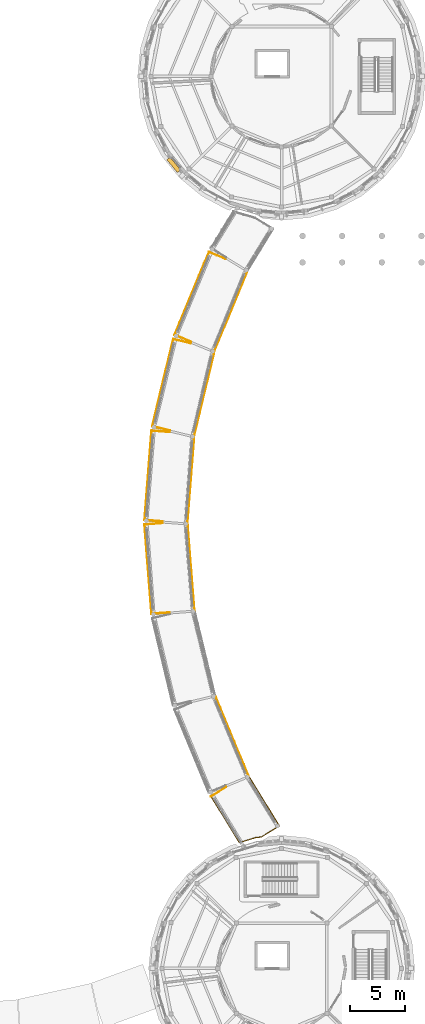
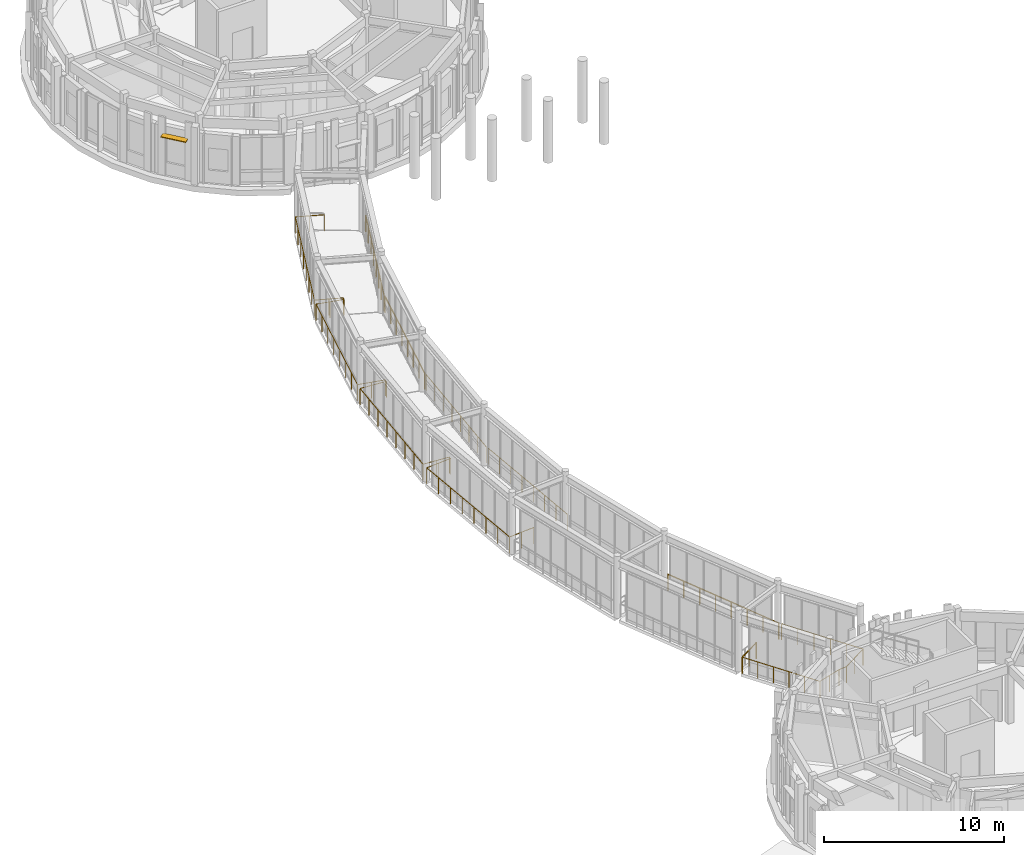
# One storey, part 78 of 80: 11 railings, 1 shading device.
"""IFC4 building model written with IfcOpenShell, lengths in metres."""

from ifc_helpers import new_model, si_unit, direction, frame, origin, origin_2d, place, context, subcontext, project, spatial, rectangle, circle, extrude, material, type_object, element, save


model = new_model("IFC4")

# Units and contexts
model_context = context("Model", 3, precision=1e-05, world=origin(), true_north=direction((0.0, 1.0)))
body_context = subcontext(model_context, "Body", "Model", "MODEL_VIEW")
ifc_project = project(units=[si_unit("LENGTHUNIT", "METRE"), si_unit("AREAUNIT", "SQUARE_METRE"), si_unit("VOLUMEUNIT", "CUBIC_METRE"), si_unit("PLANEANGLEUNIT", "RADIAN"), si_unit("MASSUNIT", "GRAM", prefix="KILO")], contexts=[model_context])

# Site, building, storey
site_placement = place(None, origin())
site = spatial("IfcSite", under=ifc_project, at=site_placement, CompositionType="ELEMENT")
building_placement = place(site_placement, origin())
building = spatial("IfcBuilding", under=site, at=building_placement, Name="Aldenvaro Health Centre", CompositionType="ELEMENT")
storey_placement = place(building_placement, frame((0.0, 0.0, 4.550048828125)))
storey = spatial("IfcBuildingStorey", under=building, at=storey_placement, Name="L01", CompositionType="ELEMENT", Elevation=4.550048828125)

# Railings
ifc_material_1 = material(Name="Painted Architectural Steel", Category="steel")
railing_type = type_object("IfcRailingType", Name="RL-BAL-110", PredefinedType="GUARDRAIL", material=ifc_material_1)
railing_1_placement = place(storey_placement, frame((146.2890625, 75.39404296875, 0.0)))
element("IfcRailing", 1, at=railing_1_placement, inside=storey, type_object=railing_type, Name="East Curved Garden Colonnade Arc 2 L01 edge guardrail 1", PredefinedType="GUARDRAIL", context=body_context, shape_type="SweptSolid", body=[
    extrude(circle(Radius=0.02392578125, at=origin_2d()), frame((0.0, 0.0, 1.09619140625), z_axis=(-0.924157687349, 0.382011215691, 0.0), x_axis=(-0.382011215691, -0.924157687349, 0.0)), (0.0, 0.0, 1.0), 1.625244140625),
    extrude(circle(Radius=0.02392578125, at=origin_2d()), frame((-1.501953125, 0.620849609375, 1.09619140625), z_axis=(0.382565498245, 0.923928373605, 0.0), x_axis=(-0.923928373605, 0.382565498245, 0.0)), (0.0, 0.0, 1.0), 8.13916015625),
    extrude(circle(Radius=0.02392578125, at=origin_2d()), frame((1.61181640625, 8.140869140625, 1.09619140625), z_axis=(0.923967430219, -0.382471159559, 0.0), x_axis=(0.382471159559, 0.923967430219, 0.0)), (0.0, 0.0, 1.0), 1.625732421875),
    extrude(circle(Radius=0.02099609375, at=origin_2d()), origin(), (0.0, 0.0, 1.0), 1.072021484375),
    extrude(circle(Radius=0.02099609375, at=origin_2d()), frame((-0.7509765625, 0.310546875, 0.0)), (0.0, 0.0, 1.0), 1.072021484375),
    extrude(circle(Radius=0.02099609375, at=origin_2d()), frame((-1.501953125, 0.620849609375, 0.0)), (0.0, 0.0, 1.0), 1.072021484375),
    extrude(circle(Radius=0.02099609375, at=origin_2d()), frame((-1.05712890625, 1.695068359375, 0.0)), (0.0, 0.0, 1.0), 1.072021484375),
    extrude(circle(Radius=0.02099609375, at=origin_2d()), frame((-0.6123046875, 2.76953125, 0.0)), (0.0, 0.0, 1.0), 1.072021484375),
    extrude(circle(Radius=0.02099609375, at=origin_2d()), frame((-0.16748046875, 3.84375, 0.0)), (0.0, 0.0, 1.0), 1.072021484375),
    extrude(circle(Radius=0.02099609375, at=origin_2d()), frame((0.27734375, 4.91796875, 0.0)), (0.0, 0.0, 1.0), 1.072021484375),
    extrude(circle(Radius=0.02099609375, at=origin_2d()), frame((0.72216796875, 5.9921875, 0.0)), (0.0, 0.0, 1.0), 1.072021484375),
    extrude(circle(Radius=0.02099609375, at=origin_2d()), frame((1.1669921875, 7.066650390625, 0.0)), (0.0, 0.0, 1.0), 1.072021484375),
    extrude(circle(Radius=0.02099609375, at=origin_2d()), frame((1.61181640625, 8.140869140625, 0.0)), (0.0, 0.0, 1.0), 1.072021484375),
    extrude(circle(Radius=0.02099609375, at=origin_2d()), frame((2.36279296875, 7.830078125, 0.0)), (0.0, 0.0, 1.0), 1.072021484375),
    extrude(circle(Radius=0.02099609375, at=origin_2d()), frame((3.114013671875, 7.51904296875, 0.0)), (0.0, 0.0, 1.0), 1.072021484375),
])
railing_2_placement = place(storey_placement, frame((151.366943359375, 81.7099609375, 0.0)))
element("IfcRailing", 2, at=railing_2_placement, inside=storey, type_object=railing_type, Name="East Curved Garden Colonnade Arc 2 L01 edge guardrail 2", PredefinedType="GUARDRAIL", context=body_context, shape_type="SweptSolid", body=[
    extrude(circle(Radius=0.02392578125, at=origin_2d()), frame((0.0, 0.0, 1.09619140625), z_axis=(-0.382541453739, -0.923938329203, 0.0), x_axis=(0.923938329203, -0.382541453739, 0.0)), (0.0, 0.0, 1.0), 7.768798828125),
    extrude(circle(Radius=0.02099609375, at=origin_2d()), origin(), (0.0, 0.0, 1.0), 1.072021484375),
    extrude(circle(Radius=0.02099609375, at=origin_2d()), frame((-0.424560546875, -1.025390625, 0.0)), (0.0, 0.0, 1.0), 1.072021484375),
    extrude(circle(Radius=0.02099609375, at=origin_2d()), frame((-0.84912109375, -2.05078125, 0.0)), (0.0, 0.0, 1.0), 1.072021484375),
    extrude(circle(Radius=0.02099609375, at=origin_2d()), frame((-1.273681640625, -3.076171875, 0.0)), (0.0, 0.0, 1.0), 1.072021484375),
    extrude(circle(Radius=0.02099609375, at=origin_2d()), frame((-1.6982421875, -4.101806640625, 0.0)), (0.0, 0.0, 1.0), 1.072021484375),
    extrude(circle(Radius=0.02099609375, at=origin_2d()), frame((-2.122802734375, -5.127197265625, 0.0)), (0.0, 0.0, 1.0), 1.072021484375),
    extrude(circle(Radius=0.02099609375, at=origin_2d()), frame((-2.54736328125, -6.152587890625, 0.0)), (0.0, 0.0, 1.0), 1.072021484375),
    extrude(circle(Radius=0.02099609375, at=origin_2d()), frame((-2.971923828125, -7.177978515625, 0.0)), (0.0, 0.0, 1.0), 1.072021484375),
])
railing_3_placement = place(storey_placement, frame((144.343994140625, 67.3369140625, 0.0)))
element("IfcRailing", 3, at=railing_3_placement, inside=storey, type_object=railing_type, Name="East Curved Garden Colonnade Arc 3 L01 edge guardrail 1", PredefinedType="GUARDRAIL", context=body_context, shape_type="SweptSolid", body=[
    extrude(circle(Radius=0.02392578125, at=origin_2d()), frame((0.0, 0.0, 1.09619140625), z_axis=(-0.972358708738, 0.233492058838, 0.0), x_axis=(-0.233492058838, -0.972358708738, 0.0)), (0.0, 0.0, 1.0), 1.6279296875),
    extrude(circle(Radius=0.02392578125, at=origin_2d()), frame((-1.5830078125, 0.380126953125, 1.09619140625), z_axis=(0.233610086319, 0.972330359276, 0.0), x_axis=(-0.972330359276, 0.233610086319, 0.0)), (0.0, 0.0, 1.0), 8.137939453125),
    extrude(circle(Radius=0.02392578125, at=origin_2d()), frame((0.318115234375, 8.29296875, 1.09619140625), z_axis=(0.972422756315, -0.233225176603, 0.0), x_axis=(0.233225176603, 0.972422756315, 0.0)), (0.0, 0.0, 1.0), 1.624755859375),
    extrude(circle(Radius=0.02099609375, at=origin_2d()), origin(), (0.0, 0.0, 1.0), 1.072021484375),
    extrude(circle(Radius=0.02099609375, at=origin_2d()), frame((-0.79150390625, 0.18994140625, 0.0)), (0.0, 0.0, 1.0), 1.072021484375),
    extrude(circle(Radius=0.02099609375, at=origin_2d()), frame((-1.5830078125, 0.380126953125, 0.0)), (0.0, 0.0, 1.0), 1.072021484375),
    extrude(circle(Radius=0.02099609375, at=origin_2d()), frame((-1.3115234375, 1.510498046875, 0.0)), (0.0, 0.0, 1.0), 1.072021484375),
    extrude(circle(Radius=0.02099609375, at=origin_2d()), frame((-1.039794921875, 2.640869140625, 0.0)), (0.0, 0.0, 1.0), 1.072021484375),
    extrude(circle(Radius=0.02099609375, at=origin_2d()), frame((-0.768310546875, 3.771240234375, 0.0)), (0.0, 0.0, 1.0), 1.072021484375),
    extrude(circle(Radius=0.02099609375, at=origin_2d()), frame((-0.49658203125, 4.90185546875, 0.0)), (0.0, 0.0, 1.0), 1.072021484375),
    extrude(circle(Radius=0.02099609375, at=origin_2d()), frame((-0.22509765625, 6.0322265625, 0.0)), (0.0, 0.0, 1.0), 1.072021484375),
    extrude(circle(Radius=0.02099609375, at=origin_2d()), frame((0.046630859375, 7.16259765625, 0.0)), (0.0, 0.0, 1.0), 1.072021484375),
    extrude(circle(Radius=0.02099609375, at=origin_2d()), frame((0.318115234375, 8.29296875, 0.0)), (0.0, 0.0, 1.0), 1.072021484375),
    extrude(circle(Radius=0.02099609375, at=origin_2d()), frame((1.10791015625, 8.103515625, 0.0)), (0.0, 0.0, 1.0), 1.072021484375),
    extrude(circle(Radius=0.02099609375, at=origin_2d()), frame((1.89794921875, 7.9140625, 0.0)), (0.0, 0.0, 1.0), 1.072021484375),
])
railing_4_placement = place(storey_placement, frame((148.3701171875, 74.3701171875, 0.0)))
element("IfcRailing", 4, at=railing_4_placement, inside=storey, type_object=railing_type, Name="East Curved Garden Colonnade Arc 3 L01 edge guardrail 2", PredefinedType="GUARDRAIL", context=body_context, shape_type="SweptSolid", body=[
    extrude(circle(Radius=0.02392578125, at=origin_2d()), frame((0.0, 0.0, 1.09619140625), z_axis=(-0.233519140247, -0.972352205293, 0.0), x_axis=(0.972352205293, -0.233519140247, 0.0)), (0.0, 0.0, 1.0), 7.76904296875),
    extrude(circle(Radius=0.02099609375, at=origin_2d()), origin(), (0.0, 0.0, 1.0), 1.072021484375),
    extrude(circle(Radius=0.02099609375, at=origin_2d()), frame((-0.25927734375, -1.0791015625, 0.0)), (0.0, 0.0, 1.0), 1.072021484375),
    extrude(circle(Radius=0.02099609375, at=origin_2d()), frame((-0.518310546875, -2.158447265625, 0.0)), (0.0, 0.0, 1.0), 1.072021484375),
    extrude(circle(Radius=0.02099609375, at=origin_2d()), frame((-0.777587890625, -3.237548828125, 0.0)), (0.0, 0.0, 1.0), 1.072021484375),
    extrude(circle(Radius=0.02099609375, at=origin_2d()), frame((-1.03662109375, -4.316650390625, 0.0)), (0.0, 0.0, 1.0), 1.072021484375),
    extrude(circle(Radius=0.02099609375, at=origin_2d()), frame((-1.2958984375, -5.395751953125, 0.0)), (0.0, 0.0, 1.0), 1.072021484375),
    extrude(circle(Radius=0.02099609375, at=origin_2d()), frame((-1.554931640625, -6.47509765625, 0.0)), (0.0, 0.0, 1.0), 1.072021484375),
    extrude(circle(Radius=0.02099609375, at=origin_2d()), frame((-1.814208984375, -7.55419921875, 0.0)), (0.0, 0.0, 1.0), 1.072021484375),
])
railing_5_placement = place(storey_placement, frame((143.680908203125, 59.074951171875, 0.0)))
element("IfcRailing", 5, at=railing_5_placement, inside=storey, type_object=railing_type, Name="East Curved Garden Colonnade Arc 4 L01 edge guardrail 1", PredefinedType="GUARDRAIL", context=body_context, shape_type="SweptSolid", body=[
    extrude(circle(Radius=0.02392578125, at=origin_2d()), frame((0.0, 0.0, 1.09619140625), z_axis=(-0.996899698613, 0.078682850139, 0.0), x_axis=(-0.078682850139, -0.996899698613, 0.0)), (0.0, 0.0, 1.0), 1.6259765625),
    extrude(circle(Radius=0.02392578125, at=origin_2d()), frame((-1.620849609375, 0.1279296875, 1.09619140625), z_axis=(0.078389434932, 0.996922813708, 0.0), x_axis=(-0.996922813708, 0.078389434932, 0.0)), (0.0, 0.0, 1.0), 8.13818359375),
    extrude(circle(Radius=0.02392578125, at=origin_2d()), frame((-0.98291015625, 8.240966796875, 1.09619140625), z_axis=(0.996904341537, -0.078624002855, 0.0), x_axis=(0.078624002855, 0.996904341537, 0.0)), (0.0, 0.0, 1.0), 1.627197265625),
    extrude(circle(Radius=0.02099609375, at=origin_2d()), origin(), (0.0, 0.0, 1.0), 1.072021484375),
    extrude(circle(Radius=0.02099609375, at=origin_2d()), frame((-0.810546875, 0.06396484375, 0.0)), (0.0, 0.0, 1.0), 1.072021484375),
    extrude(circle(Radius=0.02099609375, at=origin_2d()), frame((-1.620849609375, 0.1279296875, 0.0)), (0.0, 0.0, 1.0), 1.072021484375),
    extrude(circle(Radius=0.02099609375, at=origin_2d()), frame((-1.52978515625, 1.286865234375, 0.0)), (0.0, 0.0, 1.0), 1.072021484375),
    extrude(circle(Radius=0.02099609375, at=origin_2d()), frame((-1.4384765625, 2.446044921875, 0.0)), (0.0, 0.0, 1.0), 1.072021484375),
    extrude(circle(Radius=0.02099609375, at=origin_2d()), frame((-1.347412109375, 3.60498046875, 0.0)), (0.0, 0.0, 1.0), 1.072021484375),
    extrude(circle(Radius=0.02099609375, at=origin_2d()), frame((-1.25634765625, 4.763916015625, 0.0)), (0.0, 0.0, 1.0), 1.072021484375),
    extrude(circle(Radius=0.02099609375, at=origin_2d()), frame((-1.165283203125, 5.9228515625, 0.0)), (0.0, 0.0, 1.0), 1.072021484375),
    extrude(circle(Radius=0.02099609375, at=origin_2d()), frame((-1.073974609375, 7.08203125, 0.0)), (0.0, 0.0, 1.0), 1.072021484375),
    extrude(circle(Radius=0.02099609375, at=origin_2d()), frame((-0.98291015625, 8.240966796875, 0.0)), (0.0, 0.0, 1.0), 1.072021484375),
    extrude(circle(Radius=0.02099609375, at=origin_2d()), frame((-0.171875, 8.177001953125, 0.0)), (0.0, 0.0, 1.0), 1.072021484375),
    extrude(circle(Radius=0.02099609375, at=origin_2d()), frame((0.63916015625, 8.113037109375, 0.0)), (0.0, 0.0, 1.0), 1.072021484375),
])
railing_6_placement = place(storey_placement, frame((146.55810546875, 66.65087890625, 0.0)))
element("IfcRailing", 6, at=railing_6_placement, inside=storey, type_object=railing_type, Name="East Curved Garden Colonnade Arc 4 L01 edge guardrail 2", PredefinedType="GUARDRAIL", context=body_context, shape_type="SweptSolid", body=[
    extrude(circle(Radius=0.02392578125, at=origin_2d()), frame((0.0, 0.0, 1.09619140625), z_axis=(-0.078417256566, -0.996920625663, 0.0), x_axis=(0.996920625663, -0.078417256566, 0.0)), (0.0, 0.0, 1.0), 7.767822265625),
    extrude(circle(Radius=0.02099609375, at=origin_2d()), origin(), (0.0, 0.0, 1.0), 1.072021484375),
    extrude(circle(Radius=0.02099609375, at=origin_2d()), frame((-0.0869140625, -1.106201171875, 0.0)), (0.0, 0.0, 1.0), 1.072021484375),
    extrude(circle(Radius=0.02099609375, at=origin_2d()), frame((-0.174072265625, -2.212646484375, 0.0)), (0.0, 0.0, 1.0), 1.072021484375),
    extrude(circle(Radius=0.02099609375, at=origin_2d()), frame((-0.260986328125, -3.31884765625, 0.0)), (0.0, 0.0, 1.0), 1.072021484375),
    extrude(circle(Radius=0.02099609375, at=origin_2d()), frame((-0.34814453125, -4.425048828125, 0.0)), (0.0, 0.0, 1.0), 1.072021484375),
    extrude(circle(Radius=0.02099609375, at=origin_2d()), frame((-0.43505859375, -5.53125, 0.0)), (0.0, 0.0, 1.0), 1.072021484375),
    extrude(circle(Radius=0.02099609375, at=origin_2d()), frame((-0.522216796875, -6.6376953125, 0.0)), (0.0, 0.0, 1.0), 1.072021484375),
    extrude(circle(Radius=0.02099609375, at=origin_2d()), frame((-0.609130859375, -7.743896484375, 0.0)), (0.0, 0.0, 1.0), 1.072021484375),
])
railing_7_placement = place(storey_placement, frame((144.321044921875, 50.81201171875, 0.0)))
element("IfcRailing", 7, at=railing_7_placement, inside=storey, type_object=railing_type, Name="East Curved Garden Colonnade Arc 5 L01 edge guardrail 1", PredefinedType="GUARDRAIL", context=body_context, shape_type="SweptSolid", body=[
    extrude(circle(Radius=0.02392578125, at=origin_2d()), frame((0.0, 0.0, 1.09619140625), z_axis=(-0.996908048383, -0.07857698817, 0.0), x_axis=(0.07857698817, -0.996908048383, 0.0)), (0.0, 0.0, 1.0), 1.628173828125),
    extrude(circle(Radius=0.02392578125, at=origin_2d()), frame((-1.623046875, -0.1279296875, 1.09619140625), z_axis=(-0.078389434932, 0.996922813708, 0.0), x_axis=(-0.996922813708, -0.078389434932, 0.0)), (0.0, 0.0, 1.0), 8.13818359375),
    extrude(circle(Radius=0.02392578125, at=origin_2d()), frame((-2.260986328125, 7.985107421875, 1.09619140625), z_axis=(0.996899698613, 0.078682850139, 0.0), x_axis=(-0.078682850139, 0.996899698613, 0.0)), (0.0, 0.0, 1.0), 1.6259765625),
    extrude(circle(Radius=0.02099609375, at=origin_2d()), origin(), (0.0, 0.0, 1.0), 1.072021484375),
    extrude(circle(Radius=0.02099609375, at=origin_2d()), frame((-0.8115234375, -0.06396484375, 0.0)), (0.0, 0.0, 1.0), 1.072021484375),
    extrude(circle(Radius=0.02099609375, at=origin_2d()), frame((-1.623046875, -0.1279296875, 0.0)), (0.0, 0.0, 1.0), 1.072021484375),
    extrude(circle(Radius=0.02099609375, at=origin_2d()), frame((-1.714111328125, 1.031005859375, 0.0)), (0.0, 0.0, 1.0), 1.072021484375),
    extrude(circle(Radius=0.02099609375, at=origin_2d()), frame((-1.805419921875, 2.190185546875, 0.0)), (0.0, 0.0, 1.0), 1.072021484375),
    extrude(circle(Radius=0.02099609375, at=origin_2d()), frame((-1.896484375, 3.34912109375, 0.0)), (0.0, 0.0, 1.0), 1.072021484375),
    extrude(circle(Radius=0.02099609375, at=origin_2d()), frame((-1.987548828125, 4.508056640625, 0.0)), (0.0, 0.0, 1.0), 1.072021484375),
    extrude(circle(Radius=0.02099609375, at=origin_2d()), frame((-2.07861328125, 5.6669921875, 0.0)), (0.0, 0.0, 1.0), 1.072021484375),
    extrude(circle(Radius=0.02099609375, at=origin_2d()), frame((-2.169921875, 6.826171875, 0.0)), (0.0, 0.0, 1.0), 1.072021484375),
    extrude(circle(Radius=0.02099609375, at=origin_2d()), frame((-2.260986328125, 7.985107421875, 0.0)), (0.0, 0.0, 1.0), 1.072021484375),
    extrude(circle(Radius=0.02099609375, at=origin_2d()), frame((-1.45068359375, 8.049072265625, 0.0)), (0.0, 0.0, 1.0), 1.072021484375),
    extrude(circle(Radius=0.02099609375, at=origin_2d()), frame((-0.64013671875, 8.113037109375, 0.0)), (0.0, 0.0, 1.0), 1.072021484375),
])
railing_8_placement = place(storey_placement, frame((145.97607421875, 58.743896484375, 0.0)))
element("IfcRailing", 8, at=railing_8_placement, inside=storey, type_object=railing_type, Name="East Curved Garden Colonnade Arc 5 L01 edge guardrail 2", PredefinedType="GUARDRAIL", context=body_context, shape_type="SweptSolid", body=[
    extrude(circle(Radius=0.02392578125, at=origin_2d()), frame((0.0, 0.0, 1.09619140625), z_axis=(0.078386019959, -0.996923082226, 0.0), x_axis=(0.996923082226, 0.078386019959, 0.0)), (0.0, 0.0, 1.0), 7.767822265625),
    extrude(circle(Radius=0.02099609375, at=origin_2d()), origin(), (0.0, 0.0, 1.0), 1.072021484375),
    extrude(circle(Radius=0.02099609375, at=origin_2d()), frame((0.0869140625, -1.106201171875, 0.0)), (0.0, 0.0, 1.0), 1.072021484375),
    extrude(circle(Radius=0.02099609375, at=origin_2d()), frame((0.174072265625, -2.212646484375, 0.0)), (0.0, 0.0, 1.0), 1.072021484375),
    extrude(circle(Radius=0.02099609375, at=origin_2d()), frame((0.260986328125, -3.31884765625, 0.0)), (0.0, 0.0, 1.0), 1.072021484375),
    extrude(circle(Radius=0.02099609375, at=origin_2d()), frame((0.347900390625, -4.425048828125, 0.0)), (0.0, 0.0, 1.0), 1.072021484375),
    extrude(circle(Radius=0.02099609375, at=origin_2d()), frame((0.434814453125, -5.53125, 0.0)), (0.0, 0.0, 1.0), 1.072021484375),
    extrude(circle(Radius=0.02099609375, at=origin_2d()), frame((0.52197265625, -6.6376953125, 0.0)), (0.0, 0.0, 1.0), 1.072021484375),
    extrude(circle(Radius=0.02099609375, at=origin_2d()), frame((0.60888671875, -7.743896484375, 0.0)), (0.0, 0.0, 1.0), 1.072021484375),
])
railing_9_placement = place(storey_placement, frame((148.528076171875, 43.14404296875, 0.0)))
element("IfcRailing", 9, at=railing_9_placement, inside=storey, type_object=railing_type, Name="East Curved Garden Colonnade Arc 7 L01 edge guardrail 2", PredefinedType="GUARDRAIL", context=body_context, shape_type="SweptSolid", body=[
    extrude(circle(Radius=0.02392578125, at=origin_2d()), frame((0.0, 0.0, 1.09619140625), z_axis=(0.3826487527, -0.923893896536, 0.0), x_axis=(0.923893896536, 0.3826487527, 0.0)), (0.0, 0.0, 1.0), 7.769287109375),
    extrude(circle(Radius=0.02099609375, at=origin_2d()), origin(), (0.0, 0.0, 1.0), 1.072021484375),
    extrude(circle(Radius=0.02099609375, at=origin_2d()), frame((0.4248046875, -1.025390625, 0.0)), (0.0, 0.0, 1.0), 1.072021484375),
    extrude(circle(Radius=0.02099609375, at=origin_2d()), frame((0.849365234375, -2.05078125, 0.0)), (0.0, 0.0, 1.0), 1.072021484375),
    extrude(circle(Radius=0.02099609375, at=origin_2d()), frame((1.274169921875, -3.076171875, 0.0)), (0.0, 0.0, 1.0), 1.072021484375),
    extrude(circle(Radius=0.02099609375, at=origin_2d()), frame((1.69873046875, -4.101806640625, 0.0)), (0.0, 0.0, 1.0), 1.072021484375),
    extrude(circle(Radius=0.02099609375, at=origin_2d()), frame((2.12353515625, -5.127197265625, 0.0)), (0.0, 0.0, 1.0), 1.072021484375),
    extrude(circle(Radius=0.02099609375, at=origin_2d()), frame((2.548095703125, -6.152587890625, 0.0)), (0.0, 0.0, 1.0), 1.072021484375),
    extrude(circle(Radius=0.02099609375, at=origin_2d()), frame((2.972900390625, -7.177978515625, 0.0)), (0.0, 0.0, 1.0), 1.072021484375),
])
railing_10_placement = place(storey_placement, frame((148.0859375, 34.10400390625, 0.0)))
element("IfcRailing", 10, at=railing_10_placement, inside=storey, type_object=railing_type, Name="East Curved Garden Colonnade Arc 8 L01 edge guardrail 1", PredefinedType="GUARDRAIL", context=body_context, shape_type="SweptSolid", body=[
    extrude(circle(Radius=0.02392578125, at=origin_2d()), frame((0.0, 0.0, 1.09619140625), z_axis=(0.852705001759, 0.522392744948, 0.0), x_axis=(-0.522392744948, 0.852705001759, 0.0)), (0.0, 0.0, 1.0), 1.623046875),
    extrude(circle(Radius=0.02099609375, at=origin_2d()), origin(), (0.0, 0.0, 1.0), 1.072021484375),
    extrude(circle(Radius=0.02099609375, at=origin_2d()), frame((0.69189453125, 0.423828125, 0.0)), (0.0, 0.0, 1.0), 1.072021484375),
    extrude(circle(Radius=0.02099609375, at=origin_2d()), frame((1.384033203125, 0.847900390625, 0.0)), (0.0, 0.0, 1.0), 1.072021484375),
])
railing_11_placement = place(storey_placement, frame((151.59912109375, 35.833984375, 0.0)))
element("IfcRailing", 11, at=railing_11_placement, inside=storey, type_object=railing_type, Name="East Curved Garden Colonnade Arc 8 L01 edge guardrail 2", PredefinedType="GUARDRAIL", context=body_context, shape_type="SweptSolid", body=[
    extrude(circle(Radius=0.02392578125, at=origin_2d()), frame((0.0, 0.0, 1.09619140625), z_axis=(0.522606398296, -0.852574074471, 0.0), x_axis=(0.852574074471, 0.522606398296, 0.0)), (0.0, 0.0, 1.0), 5.16455078125),
    extrude(circle(Radius=0.02392578125, at=origin_2d()), frame((2.698974609375, -4.403076171875, 1.09619140625), z_axis=(-0.852517952641, -0.522697943773, 0.0), x_axis=(0.522697943773, -0.852517952641, 0.0)), (0.0, 0.0, 1.0), 1.93798828125),
    extrude(circle(Radius=0.02392578125, at=origin_2d()), frame((1.046875, -5.416015625, 1.09619140625), z_axis=(-0.995065900046, -0.099216201123, 0.0), x_axis=(0.099216201123, -0.995065900046, 0.0)), (0.0, 0.0, 1.0), 0.50439453125),
    extrude(circle(Radius=0.02392578125, at=origin_2d()), frame((0.544921875, -5.466064453125, 1.09619140625), z_axis=(-0.982338566422, -0.18711210789, 0.0), x_axis=(0.18711210789, -0.982338566422, 0.0)), (0.0, 0.0, 1.0), 0.005126953125),
    extrude(circle(Radius=0.02392578125, at=origin_2d()), frame((0.539794921875, -5.467041015625, 1.09619140625), z_axis=(-0.980580675691, -0.196116135138, 0.0), x_axis=(0.196116135138, -0.980580675691, 0.0)), (0.0, 0.0, 1.0), 0.0048828125),
    extrude(circle(Radius=0.02392578125, at=origin_2d()), frame((0.534912109375, -5.468017578125, 1.09619140625), z_axis=(-0.956932945049, -0.290309039955, 0.0), x_axis=(0.290309039955, -0.956932945049, 0.0)), (0.0, 0.0, 1.0), 1.5498046875),
    extrude(circle(Radius=0.02392578125, at=origin_2d()), frame((-0.9482421875, -5.91796875, 1.09619140625), z_axis=(-0.522282254505, 0.852772681685, 0.0), x_axis=(-0.852772681685, -0.522282254505, 0.0)), (0.0, 0.0, 1.0), 4.9111328125),
    extrude(circle(Radius=0.02099609375, at=origin_2d()), origin(), (0.0, 0.0, 1.0), 1.072021484375),
    extrude(circle(Radius=0.02099609375, at=origin_2d()), frame((0.539794921875, -0.880615234375, 0.0)), (0.0, 0.0, 1.0), 1.072021484375),
    extrude(circle(Radius=0.02099609375, at=origin_2d()), frame((1.07958984375, -1.76123046875, 0.0)), (0.0, 0.0, 1.0), 1.072021484375),
    extrude(circle(Radius=0.02099609375, at=origin_2d()), frame((1.619384765625, -2.641845703125, 0.0)), (0.0, 0.0, 1.0), 1.072021484375),
    extrude(circle(Radius=0.02099609375, at=origin_2d()), frame((2.1591796875, -3.5224609375, 0.0)), (0.0, 0.0, 1.0), 1.072021484375),
    extrude(circle(Radius=0.02099609375, at=origin_2d()), frame((2.698974609375, -4.403076171875, 0.0)), (0.0, 0.0, 1.0), 1.072021484375),
    extrude(circle(Radius=0.02099609375, at=origin_2d()), frame((1.873046875, -4.90966796875, 0.0)), (0.0, 0.0, 1.0), 1.072021484375),
    extrude(circle(Radius=0.02099609375, at=origin_2d()), frame((1.046875, -5.416015625, 0.0)), (0.0, 0.0, 1.0), 1.072021484375),
    extrude(circle(Radius=0.02099609375, at=origin_2d()), frame((0.544921875, -5.466064453125, 0.0)), (0.0, 0.0, 1.0), 1.072021484375),
    extrude(circle(Radius=0.02099609375, at=origin_2d()), frame((-0.20654296875, -5.69287109375, 0.0)), (0.0, 0.0, 1.0), 1.072021484375),
    extrude(circle(Radius=0.02099609375, at=origin_2d()), frame((-0.9482421875, -5.91796875, 0.0)), (0.0, 0.0, 1.0), 1.072021484375),
    extrude(circle(Radius=0.02099609375, at=origin_2d()), frame((-1.461181640625, -5.080322265625, 0.0)), (0.0, 0.0, 1.0), 1.072021484375),
    extrude(circle(Radius=0.02099609375, at=origin_2d()), frame((-1.97412109375, -4.24267578125, 0.0)), (0.0, 0.0, 1.0), 1.072021484375),
    extrude(circle(Radius=0.02099609375, at=origin_2d()), frame((-2.4873046875, -3.4052734375, 0.0)), (0.0, 0.0, 1.0), 1.072021484375),
    extrude(circle(Radius=0.02099609375, at=origin_2d()), frame((-3.000244140625, -2.567626953125, 0.0)), (0.0, 0.0, 1.0), 1.072021484375),
    extrude(circle(Radius=0.02099609375, at=origin_2d()), frame((-3.51318359375, -1.72998046875, 0.0)), (0.0, 0.0, 1.0), 1.072021484375),
])

# Shading device
ifc_material_2 = material(Name="Douglas Fir Exterior Glulam GL28h", Category="wood")
shading_device_type = type_object("IfcShadingDeviceType", Name="SHD-LVR-150", PredefinedType="JALOUSIE", material=ifc_material_2)
shading_device_placement = place(storey_placement, frame((144.701904296875, 91.458984375, 2.75244140625), z_axis=(0.0, 0.0, 1.0), x_axis=(-0.634379653268, 0.773021639749, 0.0)))
element("IfcShadingDevice", 12, at=shading_device_placement, inside=storey, type_object=shading_device_type, Name="D2 L01 horizontal solar louvre 13", PredefinedType="JALOUSIE", context=body_context, shape_type="SweptSolid", body=[
    extrude(rectangle(XDim=1.5, YDim=0.3798828125, at=origin_2d()), origin(), (0.0, 0.0, 1.0), 0.054931640625),
])

save(model, "model.ifc")
